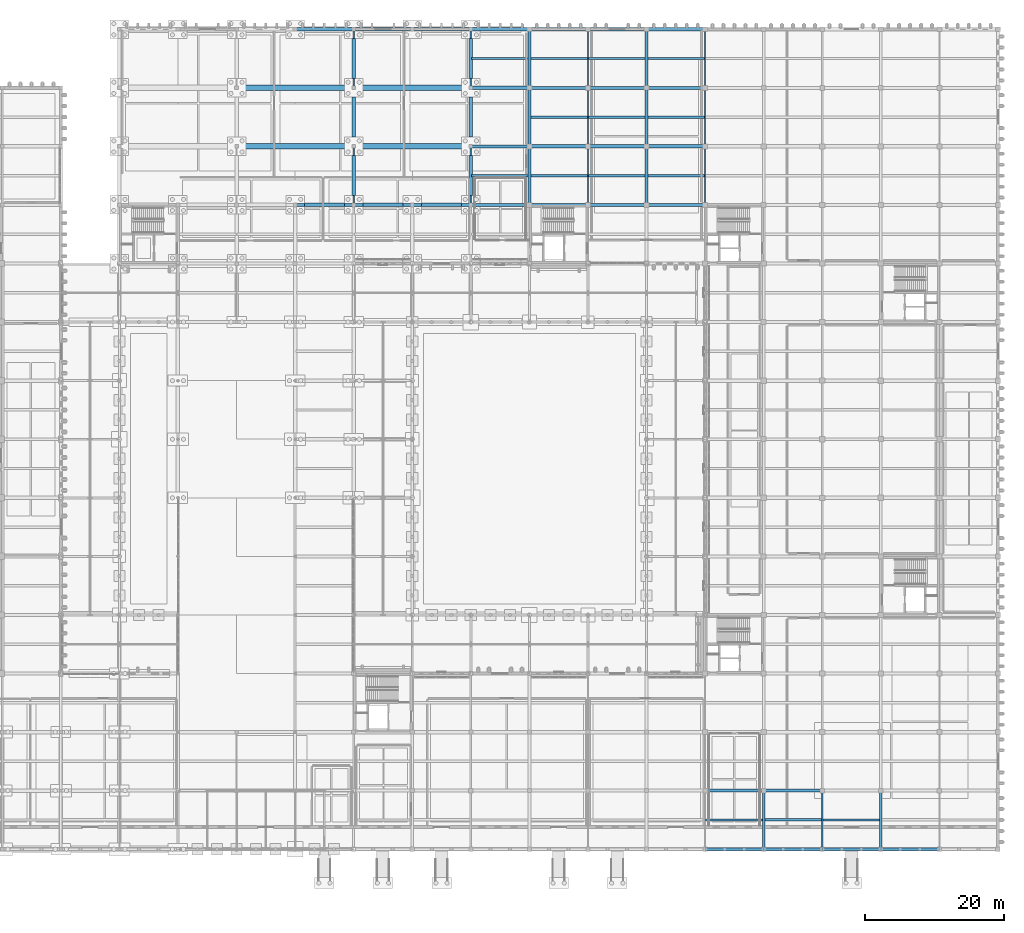
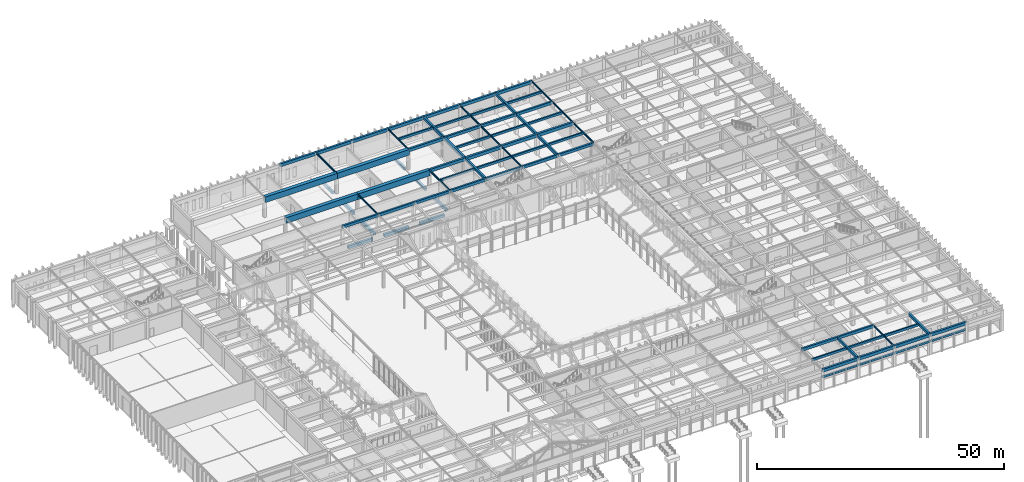
# One storey, part 67 of 143: 78 beams.
"""IFC4 building model written with IfcOpenShell, lengths in metres."""

import ifcopenshell
import ifcopenshell.guid

model = None  # the IFC model being written
_history = None  # IfcOwnerHistory: only IFC2X3 demands one
_inside = {}  # id of a spatial element -> (the spatial element, [elements in it])
_under = {}  # id of a project, library or spatial element -> (it, [spatial elements below it])
_declared = {}  # id of a project -> (the project, [libraries it declares])
_typed = {}  # id of a type object -> (the type object, [elements of that type])
_made_of = {}  # id of a material, layer set ... -> (it, [elements and type objects made of it])


def new_model(schema):
    """Start an empty IFC model of exactly this schema.

    Asked for "IFC4X3", IfcOpenShell would pick the latest addendum, in which some entities
    have other attributes; the version numbers below select the first issue.
    IFC2X3 requires an IfcOwnerHistory on every rooted entity: one is made here for all.
    """
    global model, _history
    if schema == "IFC4X3":
        model = ifcopenshell.file(schema_version=(4, 3, 0, 0))
    else:
        model = ifcopenshell.file(schema=schema)
    _inside.clear()
    _under.clear()
    _declared.clear()
    _typed.clear()
    _made_of.clear()
    _history = None
    if model.schema == "IFC2X3":
        org = make("IfcOrganization", Name="unknown")
        user = make(
            "IfcPersonAndOrganization",
            ThePerson=make("IfcPerson", FamilyName="unknown"),
            TheOrganization=org,
        )
        app = make(
            "IfcApplication",
            ApplicationDeveloper=org,
            Version="unknown",
            ApplicationFullName="unknown",
            ApplicationIdentifier="unknown",
        )
        _history = make(
            "IfcOwnerHistory",
            OwningUser=user,
            OwningApplication=app,
            ChangeAction="ADDED",
            CreationDate=0,
        )
    return model


def make(cls, **values):
    """One entity of the class cls with the attributes given. An attribute that is None is left unset."""
    return model.create_entity(
        cls, **{name: value for name, value in values.items() if value is not None}
    )


def rooted(cls, **values):
    """An entity with a GlobalId (a new one), such as an element, a storey or a relation."""
    return make(cls, GlobalId=ifcopenshell.guid.new(), OwnerHistory=_history, **values)


def si_unit(unit_type, name, prefix=None):
    """IfcSIUnit, for example si_unit("LENGTHUNIT", "METRE", prefix="MILLI")."""
    return make("IfcSIUnit", UnitType=unit_type, Prefix=prefix, Name=name)


def assignment(units):
    """IfcUnitAssignment: the units of a project."""
    return None if units is None else make("IfcUnitAssignment", Units=units)


def point(xyz):
    """IfcCartesianPoint."""
    return None if xyz is None else make("IfcCartesianPoint", Coordinates=xyz)


def direction(xyz):
    """IfcDirection."""
    return None if xyz is None else make("IfcDirection", DirectionRatios=xyz)


def frame(location, z_axis=None, x_axis=None):
    """IfcAxis2Placement3D, a coordinate frame: its origin and axes. An axis left out is left unset."""
    return make(
        "IfcAxis2Placement3D",
        Location=point(location),
        Axis=direction(z_axis),
        RefDirection=direction(x_axis),
    )


def frame_2d(location, x_axis=None):
    """IfcAxis2Placement2D, a coordinate frame in the plane: its origin and x axis."""
    return make(
        "IfcAxis2Placement2D", Location=point(location), RefDirection=direction(x_axis)
    )


def origin():
    """The frame at (0, 0, 0) with its axes left unset."""
    return frame((0.0, 0.0, 0.0))


def origin_2d():
    """The frame at (0, 0) in the plane with its x axis left unset."""
    return frame_2d((0.0, 0.0))


def place(relative_to, where):
    """IfcLocalPlacement: puts the frame where relative to a parent placement (None: the world)."""
    return make(
        "IfcLocalPlacement", PlacementRelTo=relative_to, RelativePlacement=where
    )


def context(
    kind, dimensions, precision=None, world=None, true_north=None, identifier=None
):
    """IfcGeometricRepresentationContext, for example the 3D "Model" context."""
    return make(
        "IfcGeometricRepresentationContext",
        ContextIdentifier=identifier,
        ContextType=kind,
        CoordinateSpaceDimension=dimensions,
        Precision=precision,
        WorldCoordinateSystem=world,
        TrueNorth=true_north,
    )


def subcontext(parent, identifier, kind, view, scale=None):
    """IfcGeometricRepresentationSubContext, for example "Body" below "Model"."""
    return make(
        "IfcGeometricRepresentationSubContext",
        ContextIdentifier=identifier,
        ContextType=kind,
        ParentContext=parent,
        TargetScale=scale,
        TargetView=view,
    )


def project(units=None, contexts=None):
    """IfcProject with its units and contexts."""
    return rooted(
        "IfcProject",
        Name="project",
        RepresentationContexts=contexts,
        UnitsInContext=assignment(units),
    )


def spatial(cls, under=None, at=None, **own):
    """A site, building, storey or space (cls), placed at a placement, below another one or the project."""
    s = rooted(cls, ObjectPlacement=at, **own)
    if under is not None:
        _under.setdefault(under.id(), (under, []))[1].append(s)
    return s


def profile(cls, at=None, kind="AREA", **sizes):
    """A parametric profile (cls). Its sizes go by their IFC names, for example OverallWidth=200.0."""
    return make(cls, ProfileType=kind, Position=at, **sizes)


def rectangle(**sizes):
    """IfcRectangleProfileDef."""
    return profile("IfcRectangleProfileDef", **sizes)


def i_section(**sizes):
    """IfcIShapeProfileDef."""
    return profile("IfcIShapeProfileDef", **sizes)


def extrude(swept, where, along, depth):
    """IfcExtrudedAreaSolid: the profile swept, set in the frame where, extruded along a direction by depth."""
    return make(
        "IfcExtrudedAreaSolid",
        SweptArea=swept,
        Position=where,
        ExtrudedDirection=direction(along),
        Depth=depth,
    )


def shape(context_of_items, identifier, shape_type, items):
    """IfcShapeRepresentation: the items that make up one representation, for example the "Body"."""
    return make(
        "IfcShapeRepresentation",
        ContextOfItems=context_of_items,
        RepresentationIdentifier=identifier,
        RepresentationType=shape_type,
        Items=items,
    )


def material(Name=None, Category=None):
    """IfcMaterial."""
    return make("IfcMaterial", Name=Name, Category=Category)


def material_profile(
    of_material, cross_section, Name=None, Category=None, Priority=None
):
    """IfcMaterialProfile: a cross section and its material."""
    return make(
        "IfcMaterialProfile",
        Name=Name,
        Material=of_material,
        Profile=cross_section,
        Priority=Priority,
        Category=Category,
    )


def profile_set(profiles, Name=None, composite=None):
    """IfcMaterialProfileSet."""
    return make(
        "IfcMaterialProfileSet",
        Name=Name,
        MaterialProfiles=profiles,
        CompositeProfile=composite,
    )


def made_of(thing, what):
    """Note that an element or type object is made of a material, layer set ...; save() writes the relation."""
    if what is not None:
        _made_of.setdefault(what.id(), (what, []))[1].append(thing)
    return thing


def type_object(cls, material=None, **own):
    """A type object (cls), such as IfcWallType, which elements share."""
    return made_of(rooted(cls, **own), material)


def element(
    cls,
    number,
    at=None,
    inside=None,
    cuts=None,
    type_object=None,
    material=None,
    context=None,
    identifier="Body",
    shape_type=None,
    held_by="IfcProductDefinitionShape",
    body=None,
    shapes=None,
    **own,
):
    """One element of the class cls, such as IfcWall. Its Tag is "e" and its number.

    at: its placement. inside: the storey or other place that contains it. cuts: it is an
    opening in that element (IfcRelVoidsElement). A single representation is given by context,
    identifier, shape_type and body (its items); several are given by shapes. held_by: the class
    of the entity that holds the representations. save() writes the other relations.
    """
    e = rooted(cls, Tag="e%d" % number, ObjectPlacement=at, **own)
    if body is not None:
        shapes = [shape(context, identifier, shape_type, body)]
    if shapes is not None:
        e.Representation = make(held_by, Representations=shapes)
    if inside is not None:
        _inside.setdefault(inside.id(), (inside, []))[1].append(e)
    if cuts is not None:
        rooted(
            "IfcRelVoidsElement", RelatingBuildingElement=cuts, RelatedOpeningElement=e
        )
    if type_object is not None:
        _typed.setdefault(type_object.id(), (type_object, []))[1].append(e)
    return made_of(e, material)


def aggregate(whole, parts):
    """IfcRelAggregates: a whole, such as a stair, and the parts it consists of."""
    return rooted("IfcRelAggregates", RelatingObject=whole, RelatedObjects=parts)


def save(model, path):
    """Write the relations noted so far, then the file.

    IfcRelAggregates (storeys below a building ...), IfcRelContainedInSpatialStructure (elements
    in a storey), IfcRelDefinesByType, IfcRelAssociatesMaterial and IfcRelDeclares: one each for
    every whole, place, type object, material and project.
    """
    for whole, parts in _under.values():
        aggregate(whole, parts)
    for where, things in _inside.values():
        rooted(
            "IfcRelContainedInSpatialStructure",
            RelatedElements=things,
            RelatingStructure=where,
        )
    for kind, things in _typed.values():
        rooted("IfcRelDefinesByType", RelatedObjects=things, RelatingType=kind)
    for what, things in _made_of.values():
        rooted("IfcRelAssociatesMaterial", RelatedObjects=things, RelatingMaterial=what)
    for by, libraries in _declared.values():
        rooted("IfcRelDeclares", RelatingContext=by, RelatedDefinitions=libraries)
    model.write(path)


model = new_model("IFC4")

# Units and contexts
model_context = context("Model", 3, precision=1e-05, world=origin(), true_north=direction((0.0, 1.0)))
body_context = subcontext(model_context, "Body", "Model", "MODEL_VIEW")
ifc_project = project(units=[si_unit("LENGTHUNIT", "METRE"), si_unit("AREAUNIT", "SQUARE_METRE"), si_unit("VOLUMEUNIT", "CUBIC_METRE"), si_unit("PLANEANGLEUNIT", "RADIAN"), si_unit("MASSUNIT", "GRAM", prefix="KILO")], contexts=[model_context])

# Site, building, storey
site_placement = place(None, origin())
site = spatial("IfcSite", under=ifc_project, at=site_placement, CompositionType="ELEMENT")
building_placement = place(site_placement, origin())
building = spatial("IfcBuilding", under=site, at=building_placement, Name="Kveldsbrygga Polytechnic", CompositionType="ELEMENT")
storey_placement = place(building_placement, origin())
storey = spatial("IfcBuildingStorey", under=building, at=storey_placement, Name="L00", CompositionType="ELEMENT", Elevation=0.0)

# Beams
ifc_material_1 = material(Name="Concrete C35/45", Category="concrete")
ifc_material_profile_1 = material_profile(ifc_material_1, rectangle(XDim=0.39990234375, YDim=0.64990234375, at=origin_2d()), Name="RC 400x650")
ifc_profile_set_1 = profile_set([ifc_material_profile_1], Name="Concrete C35/45")
beam_type_1 = type_object("IfcBeamType", Name="BM-RC-400x650", PredefinedType="BEAM", material=ifc_profile_set_1)
for number, where, z_axis, x_axis, name in (
    (1, (100.800048828125, 92.39990234375, 4.81494140625), (0.0, 1.0, 0.0), (-1.0, 0.0, 0.0), "Primary Beam BMY-L00-12-11to12"),
    (2, (100.800048828125, 109.199951171875, 4.81494140625), (0.0, 1.0, 0.0), (-1.0, 0.0, 0.0), "Primary Beam BMY-L00-12-13to14"),
    (3, (117.60009765625, 92.39990234375, 4.81494140625), (0.0, 1.0, 0.0), (-1.0, 0.0, 0.0), "Primary Beam BMY-L00-14-11to12"),
):
    element("IfcBeam", number, at=place(storey_placement, frame(where, z_axis=z_axis, x_axis=x_axis)), inside=storey, type_object=beam_type_1, Name=name, PredefinedType="BEAM", context=body_context, shape_type="SweptSolid", body=[
        extrude(rectangle(XDim=0.39990234375, YDim=0.64990234375, at=origin_2d()), origin(), (0.0, 0.0, 1.0), 8.400146484375),
    ])
beam_1_placement = place(storey_placement, frame((117.60009765625, 100.800048828125, 4.81494140625), z_axis=(0.0, 1.0, 0.0), x_axis=(-1.0, 0.0, 0.0)))
element("IfcBeam", 4, at=beam_1_placement, inside=storey, type_object=beam_type_1, Name="Primary Beam BMY-L00-14-12to13", PredefinedType="BEAM", context=body_context, shape_type="SweptSolid", body=[
    extrude(rectangle(XDim=0.39990234375, YDim=0.64990234375, at=origin_2d()), origin(), (0.0, 0.0, 1.0), 8.39990234375),
])
beam_2_placement = place(storey_placement, frame((117.60009765625, 109.199951171875, 4.81494140625), z_axis=(0.0, 1.0, 0.0), x_axis=(-1.0, 0.0, 0.0)))
element("IfcBeam", 5, at=beam_2_placement, inside=storey, type_object=beam_type_1, Name="Primary Beam BMY-L00-14-13to14", PredefinedType="BEAM", context=body_context, shape_type="SweptSolid", body=[
    extrude(rectangle(XDim=0.39990234375, YDim=0.64990234375, at=origin_2d()), origin(), (0.0, 0.0, 1.0), 8.400146484375),
])
for number, where, z_axis, x_axis, name in (
    (6, (134.39990234375, 0.0, 4.81494140625), (0.0, 1.0, 0.0), (-1.0, 0.0, 0.0), "Primary Beam BMY-L00-16-00to01"),
    (7, (151.199951171875, 0.0, 4.81494140625), (0.0, 1.0, 0.0), (-1.0, 0.0, 0.0), "Primary Beam BMY-L00-18-00to01"),
):
    element("IfcBeam", number, at=place(storey_placement, frame(where, z_axis=z_axis, x_axis=x_axis)), inside=storey, type_object=beam_type_1, Name=name, PredefinedType="BEAM", context=body_context, shape_type="SweptSolid", body=[
        extrude(rectangle(XDim=0.39990234375, YDim=0.64990234375, at=origin_2d()), origin(), (0.0, 0.0, 1.0), 8.39990234375),
    ])
ifc_material_profile_2 = material_profile(ifc_material_1, rectangle(XDim=0.419921875, YDim=0.679931640625, at=origin_2d()), Name="RC 420x680")
ifc_profile_set_2 = profile_set([ifc_material_profile_2], Name="Concrete C35/45")
beam_type_2 = type_object("IfcBeamType", Name="BM-RC-420x680", PredefinedType="BEAM", material=ifc_profile_set_2)
beam_3_placement = place(storey_placement, frame((126.0, 8.39990234375, 4.800048828125), z_axis=(1.0, 0.0, 0.0), x_axis=(0.0, 1.0, 0.0)))
element("IfcBeam", 8, at=beam_3_placement, inside=storey, type_object=beam_type_2, Name="Primary Beam BMX-L00-15to16-01", PredefinedType="BEAM", context=body_context, shape_type="SweptSolid", body=[
    extrude(rectangle(XDim=0.419921875, YDim=0.679931640625, at=origin_2d()), origin(), (0.0, 0.0, 1.0), 8.39990234375),
])
for number, where, z_axis, x_axis, name in (
    (9, (134.39990234375, 8.39990234375, 4.800048828125), (1.0, 0.0, 0.0), (0.0, 1.0, 0.0), "Primary Beam BMX-L00-16to17-01"),
    (10, (67.199951171875, 92.39990234375, 4.800048828125), (1.0, 0.0, 0.0), (0.0, 1.0, 0.0), "Primary Beam BMX-L00-08to09-11"),
):
    element("IfcBeam", number, at=place(storey_placement, frame(where, z_axis=z_axis, x_axis=x_axis)), inside=storey, type_object=beam_type_2, Name=name, PredefinedType="BEAM", context=body_context, shape_type="SweptSolid", body=[
        extrude(rectangle(XDim=0.419921875, YDim=0.679931640625, at=origin_2d()), origin(), (0.0, 0.0, 1.0), 8.400146484375),
    ])
for number, where, z_axis, x_axis, name in (
    (11, (75.60009765625, 92.39990234375, 4.800048828125), (1.0, 0.0, 0.0), (0.0, 1.0, 0.0), "Primary Beam BMX-L00-09to10-11"),
    (12, (84.0, 92.39990234375, 4.800048828125), (1.0, 0.0, 0.0), (0.0, 1.0, 0.0), "Primary Beam BMX-L00-10to11-11"),
):
    element("IfcBeam", number, at=place(storey_placement, frame(where, z_axis=z_axis, x_axis=x_axis)), inside=storey, type_object=beam_type_2, Name=name, PredefinedType="BEAM", context=body_context, shape_type="SweptSolid", body=[
        extrude(rectangle(XDim=0.419921875, YDim=0.679931640625, at=origin_2d()), origin(), (0.0, 0.0, 1.0), 8.39990234375),
    ])
beam_4_placement = place(storey_placement, frame((92.39990234375, 92.39990234375, 4.800048828125), z_axis=(1.0, 0.0, 0.0), x_axis=(0.0, 1.0, 0.0)))
element("IfcBeam", 13, at=beam_4_placement, inside=storey, type_object=beam_type_2, Name="Primary Beam BMX-L00-11to12-11", PredefinedType="BEAM", context=body_context, shape_type="SweptSolid", body=[
    extrude(rectangle(XDim=0.419921875, YDim=0.679931640625, at=origin_2d()), origin(), (0.0, 0.0, 1.0), 8.400146484375),
])
beam_5_placement = place(storey_placement, frame((100.800048828125, 92.39990234375, 4.800048828125), z_axis=(1.0, 0.0, 0.0), x_axis=(0.0, 1.0, 0.0)))
element("IfcBeam", 14, at=beam_5_placement, inside=storey, type_object=beam_type_2, Name="Primary Beam BMX-L00-12to13-11", PredefinedType="BEAM", context=body_context, shape_type="SweptSolid", body=[
    extrude(rectangle(XDim=0.419921875, YDim=0.679931640625, at=origin_2d()), origin(), (0.0, 0.0, 1.0), 8.39990234375),
])
beam_6_placement = place(storey_placement, frame((109.199951171875, 92.39990234375, 4.800048828125), z_axis=(1.0, 0.0, 0.0), x_axis=(0.0, 1.0, 0.0)))
element("IfcBeam", 15, at=beam_6_placement, inside=storey, type_object=beam_type_2, Name="Primary Beam BMX-L00-13to14-11", PredefinedType="BEAM", context=body_context, shape_type="SweptSolid", body=[
    extrude(rectangle(XDim=0.419921875, YDim=0.679931640625, at=origin_2d()), origin(), (0.0, 0.0, 1.0), 8.400146484375),
])
for number, where, z_axis, x_axis, name in (
    (16, (117.60009765625, 92.39990234375, 4.800048828125), (1.0, 0.0, 0.0), (0.0, 1.0, 0.0), "Primary Beam BMX-L00-14to15-11"),
    (17, (100.800048828125, 109.199951171875, 4.800048828125), (1.0, 0.0, 0.0), (0.0, 1.0, 0.0), "Primary Beam BMX-L00-12to13-13"),
):
    element("IfcBeam", number, at=place(storey_placement, frame(where, z_axis=z_axis, x_axis=x_axis)), inside=storey, type_object=beam_type_2, Name=name, PredefinedType="BEAM", context=body_context, shape_type="SweptSolid", body=[
        extrude(rectangle(XDim=0.419921875, YDim=0.679931640625, at=origin_2d()), origin(), (0.0, 0.0, 1.0), 8.39990234375),
    ])
beam_7_placement = place(storey_placement, frame((109.199951171875, 109.199951171875, 4.800048828125), z_axis=(1.0, 0.0, 0.0), x_axis=(0.0, 1.0, 0.0)))
element("IfcBeam", 18, at=beam_7_placement, inside=storey, type_object=beam_type_2, Name="Primary Beam BMX-L00-13to14-13", PredefinedType="BEAM", context=body_context, shape_type="SweptSolid", body=[
    extrude(rectangle(XDim=0.419921875, YDim=0.679931640625, at=origin_2d()), origin(), (0.0, 0.0, 1.0), 8.400146484375),
])
beam_8_placement = place(storey_placement, frame((117.60009765625, 109.199951171875, 4.800048828125), z_axis=(1.0, 0.0, 0.0), x_axis=(0.0, 1.0, 0.0)))
element("IfcBeam", 19, at=beam_8_placement, inside=storey, type_object=beam_type_2, Name="Primary Beam BMX-L00-14to15-13", PredefinedType="BEAM", context=body_context, shape_type="SweptSolid", body=[
    extrude(rectangle(XDim=0.419921875, YDim=0.679931640625, at=origin_2d()), origin(), (0.0, 0.0, 1.0), 8.39990234375),
])
ifc_material_profile_3 = material_profile(ifc_material_1, rectangle(XDim=0.449951171875, YDim=0.75, at=origin_2d()), Name="RC 450x750")
ifc_profile_set_3 = profile_set([ifc_material_profile_3], Name="Concrete C35/45")
beam_type_3 = type_object("IfcBeamType", Name="BM-RC-450x750", PredefinedType="BEAM", material=ifc_profile_set_3)
beam_9_placement = place(storey_placement, frame((92.39990234375, 109.199951171875, 4.764892578125), z_axis=(1.0, 0.0, 0.0), x_axis=(0.0, 1.0, 0.0)))
element("IfcBeam", 20, at=beam_9_placement, inside=storey, type_object=beam_type_3, Name="Primary Beam BMX-L00-11to12-13", PredefinedType="BEAM", context=body_context, shape_type="SweptSolid", body=[
    extrude(rectangle(XDim=0.449951171875, YDim=0.75, at=origin_2d()), origin(), (0.0, 0.0, 1.0), 8.400146484375),
])
beam_10_placement = place(storey_placement, frame((100.800048828125, 100.800048828125, 4.764892578125), z_axis=(0.0, 1.0, 0.0), x_axis=(-1.0, 0.0, 0.0)))
element("IfcBeam", 21, at=beam_10_placement, inside=storey, type_object=beam_type_3, Name="Primary Beam BMY-L00-12-12to13", PredefinedType="BEAM", context=body_context, shape_type="SweptSolid", body=[
    extrude(rectangle(XDim=0.449951171875, YDim=0.75, at=origin_2d()), origin(), (0.0, 0.0, 1.0), 8.39990234375),
])
ifc_material_profile_4 = material_profile(ifc_material_1, rectangle(XDim=0.4599609375, YDim=0.739990234375, at=origin_2d()), Name="RC 460x740")
ifc_profile_set_4 = profile_set([ifc_material_profile_4], Name="Concrete C35/45")
beam_type_4 = type_object("IfcBeamType", Name="BM-RC-460x740", PredefinedType="BEAM", material=ifc_profile_set_4)
beam_11_placement = place(storey_placement, frame((126.0, 0.0, 4.77001953125), z_axis=(1.0, 0.0, 0.0), x_axis=(0.0, 1.0, 0.0)))
element("IfcBeam", 22, at=beam_11_placement, inside=storey, type_object=beam_type_4, Name="Primary Beam BMX-L00-15to16-00", PredefinedType="BEAM", context=body_context, shape_type="SweptSolid", body=[
    extrude(rectangle(XDim=0.4599609375, YDim=0.739990234375, at=origin_2d()), origin(), (0.0, 0.0, 1.0), 8.39990234375),
])
beam_12_placement = place(storey_placement, frame((134.39990234375, 0.0, 4.77001953125), z_axis=(1.0, 0.0, 0.0), x_axis=(0.0, 1.0, 0.0)))
element("IfcBeam", 23, at=beam_12_placement, inside=storey, type_object=beam_type_4, Name="Primary Beam BMX-L00-16to17-00", PredefinedType="BEAM", context=body_context, shape_type="SweptSolid", body=[
    extrude(rectangle(XDim=0.4599609375, YDim=0.739990234375, at=origin_2d()), origin(), (0.0, 0.0, 1.0), 8.400146484375),
])
beam_13_placement = place(storey_placement, frame((142.800048828125, 0.0, 4.77001953125), z_axis=(1.0, 0.0, 0.0), x_axis=(0.0, 1.0, 0.0)))
element("IfcBeam", 24, at=beam_13_placement, inside=storey, type_object=beam_type_4, Name="Primary Beam BMX-L00-17to18-00", PredefinedType="BEAM", context=body_context, shape_type="SweptSolid", body=[
    extrude(rectangle(XDim=0.4599609375, YDim=0.739990234375, at=origin_2d()), origin(), (0.0, 0.0, 1.0), 8.39990234375),
])
for number, where, z_axis, x_axis, name in (
    (25, (151.199951171875, 0.0, 4.77001953125), (1.0, 0.0, 0.0), (0.0, 1.0, 0.0), "Primary Beam BMX-L00-18to19-00"),
    (26, (92.39990234375, 100.800048828125, 4.77001953125), (1.0, 0.0, 0.0), (0.0, 1.0, 0.0), "Primary Beam BMX-L00-11to12-12"),
    (27, (67.199951171875, 117.60009765625, 4.77001953125), (1.0, 0.0, 0.0), (0.0, 1.0, 0.0), "Primary Beam BMX-L00-08to09-14"),
):
    element("IfcBeam", number, at=place(storey_placement, frame(where, z_axis=z_axis, x_axis=x_axis)), inside=storey, type_object=beam_type_4, Name=name, PredefinedType="BEAM", context=body_context, shape_type="SweptSolid", body=[
        extrude(rectangle(XDim=0.4599609375, YDim=0.739990234375, at=origin_2d()), origin(), (0.0, 0.0, 1.0), 8.400146484375),
    ])
for number, where, z_axis, x_axis, name in (
    (28, (75.60009765625, 117.60009765625, 4.77001953125), (1.0, 0.0, 0.0), (0.0, 1.0, 0.0), "Primary Beam BMX-L00-09to10-14"),
    (29, (84.0, 117.60009765625, 4.77001953125), (1.0, 0.0, 0.0), (0.0, 1.0, 0.0), "Primary Beam BMX-L00-10to11-14"),
):
    element("IfcBeam", number, at=place(storey_placement, frame(where, z_axis=z_axis, x_axis=x_axis)), inside=storey, type_object=beam_type_4, Name=name, PredefinedType="BEAM", context=body_context, shape_type="SweptSolid", body=[
        extrude(rectangle(XDim=0.4599609375, YDim=0.739990234375, at=origin_2d()), origin(), (0.0, 0.0, 1.0), 8.39990234375),
    ])
beam_14_placement = place(storey_placement, frame((92.39990234375, 117.60009765625, 4.77001953125), z_axis=(1.0, 0.0, 0.0), x_axis=(0.0, 1.0, 0.0)))
element("IfcBeam", 30, at=beam_14_placement, inside=storey, type_object=beam_type_4, Name="Primary Beam BMX-L00-11to12-14", PredefinedType="BEAM", context=body_context, shape_type="SweptSolid", body=[
    extrude(rectangle(XDim=0.4599609375, YDim=0.739990234375, at=origin_2d()), origin(), (0.0, 0.0, 1.0), 8.400146484375),
])
beam_15_placement = place(storey_placement, frame((100.800048828125, 117.60009765625, 4.77001953125), z_axis=(1.0, 0.0, 0.0), x_axis=(0.0, 1.0, 0.0)))
element("IfcBeam", 31, at=beam_15_placement, inside=storey, type_object=beam_type_4, Name="Primary Beam BMX-L00-12to13-14", PredefinedType="BEAM", context=body_context, shape_type="SweptSolid", body=[
    extrude(rectangle(XDim=0.4599609375, YDim=0.739990234375, at=origin_2d()), origin(), (0.0, 0.0, 1.0), 8.39990234375),
])
beam_16_placement = place(storey_placement, frame((109.199951171875, 117.60009765625, 4.77001953125), z_axis=(1.0, 0.0, 0.0), x_axis=(0.0, 1.0, 0.0)))
element("IfcBeam", 32, at=beam_16_placement, inside=storey, type_object=beam_type_4, Name="Primary Beam BMX-L00-13to14-14", PredefinedType="BEAM", context=body_context, shape_type="SweptSolid", body=[
    extrude(rectangle(XDim=0.4599609375, YDim=0.739990234375, at=origin_2d()), origin(), (0.0, 0.0, 1.0), 8.400146484375),
])
beam_17_placement = place(storey_placement, frame((117.60009765625, 117.60009765625, 4.77001953125), z_axis=(1.0, 0.0, 0.0), x_axis=(0.0, 1.0, 0.0)))
element("IfcBeam", 33, at=beam_17_placement, inside=storey, type_object=beam_type_4, Name="Primary Beam BMX-L00-14to15-14", PredefinedType="BEAM", context=body_context, shape_type="SweptSolid", body=[
    extrude(rectangle(XDim=0.4599609375, YDim=0.739990234375, at=origin_2d()), origin(), (0.0, 0.0, 1.0), 8.39990234375),
])
ifc_material_profile_5 = material_profile(ifc_material_1, rectangle(XDim=0.47998046875, YDim=0.780029296875, at=origin_2d()), Name="RC 480x780")
ifc_profile_set_5 = profile_set([ifc_material_profile_5], Name="Concrete C35/45")
beam_type_5 = type_object("IfcBeamType", Name="BM-RC-480x780", PredefinedType="BEAM", material=ifc_profile_set_5)
beam_18_placement = place(storey_placement, frame((100.800048828125, 100.800048828125, 4.75), z_axis=(1.0, 0.0, 0.0), x_axis=(0.0, 1.0, 0.0)))
element("IfcBeam", 34, at=beam_18_placement, inside=storey, type_object=beam_type_5, Name="Primary Beam BMX-L00-12to13-12", PredefinedType="BEAM", context=body_context, shape_type="SweptSolid", body=[
    extrude(rectangle(XDim=0.47998046875, YDim=0.780029296875, at=origin_2d()), origin(), (0.0, 0.0, 1.0), 8.39990234375),
])
beam_19_placement = place(storey_placement, frame((109.199951171875, 100.800048828125, 4.75), z_axis=(1.0, 0.0, 0.0), x_axis=(0.0, 1.0, 0.0)))
element("IfcBeam", 35, at=beam_19_placement, inside=storey, type_object=beam_type_5, Name="Primary Beam BMX-L00-13to14-12", PredefinedType="BEAM", context=body_context, shape_type="SweptSolid", body=[
    extrude(rectangle(XDim=0.47998046875, YDim=0.780029296875, at=origin_2d()), origin(), (0.0, 0.0, 1.0), 8.400146484375),
])
beam_20_placement = place(storey_placement, frame((117.60009765625, 100.800048828125, 4.75), z_axis=(1.0, 0.0, 0.0), x_axis=(0.0, 1.0, 0.0)))
element("IfcBeam", 36, at=beam_20_placement, inside=storey, type_object=beam_type_5, Name="Primary Beam BMX-L00-14to15-12", PredefinedType="BEAM", context=body_context, shape_type="SweptSolid", body=[
    extrude(rectangle(XDim=0.47998046875, YDim=0.780029296875, at=origin_2d()), origin(), (0.0, 0.0, 1.0), 8.39990234375),
])
ifc_material_2 = material(Name="Concrete C45/55", Category="concrete")
ifc_material_profile_6 = material_profile(ifc_material_2, rectangle(XDim=0.800048828125, YDim=1.39990234375, at=origin_2d()), Name="RC 800x1400")
ifc_profile_set_6 = profile_set([ifc_material_profile_6], Name="Concrete C45/55")
beam_type_6 = type_object("IfcBeamType", Name="BM-RC-800x1400", PredefinedType="BEAM", material=ifc_profile_set_6)
beam_21_placement = place(storey_placement, frame((58.800048828125, 100.800048828125, 4.43994140625), z_axis=(1.0, 0.0, 0.0), x_axis=(0.0, 1.0, 0.0)))
element("IfcBeam", 37, at=beam_21_placement, inside=storey, type_object=beam_type_6, Name="Primary Beam BMX-L00-07to09-12", PredefinedType="BEAM", context=body_context, shape_type="SweptSolid", body=[
    extrude(rectangle(XDim=0.800048828125, YDim=1.39990234375, at=origin_2d()), origin(), (0.0, 0.0, 1.0), 16.800048828125),
])
beam_22_placement = place(storey_placement, frame((75.60009765625, 100.800048828125, 4.43994140625), z_axis=(1.0, 0.0, 0.0), x_axis=(0.0, 1.0, 0.0)))
element("IfcBeam", 38, at=beam_22_placement, inside=storey, type_object=beam_type_6, Name="Primary Beam BMX-L00-09to11-12", PredefinedType="BEAM", context=body_context, shape_type="SweptSolid", body=[
    extrude(rectangle(XDim=0.800048828125, YDim=1.39990234375, at=origin_2d()), origin(), (0.0, 0.0, 1.0), 16.7998046875),
])
beam_23_placement = place(storey_placement, frame((58.800048828125, 109.199951171875, 4.43994140625), z_axis=(1.0, 0.0, 0.0), x_axis=(0.0, 1.0, 0.0)))
element("IfcBeam", 39, at=beam_23_placement, inside=storey, type_object=beam_type_6, Name="Primary Beam BMX-L00-07to09-13", PredefinedType="BEAM", context=body_context, shape_type="SweptSolid", body=[
    extrude(rectangle(XDim=0.800048828125, YDim=1.39990234375, at=origin_2d()), origin(), (0.0, 0.0, 1.0), 16.800048828125),
])
beam_24_placement = place(storey_placement, frame((75.60009765625, 109.199951171875, 4.43994140625), z_axis=(1.0, 0.0, 0.0), x_axis=(0.0, 1.0, 0.0)))
element("IfcBeam", 40, at=beam_24_placement, inside=storey, type_object=beam_type_6, Name="Primary Beam BMX-L00-09to11-13", PredefinedType="BEAM", context=body_context, shape_type="SweptSolid", body=[
    extrude(rectangle(XDim=0.800048828125, YDim=1.39990234375, at=origin_2d()), origin(), (0.0, 0.0, 1.0), 16.7998046875),
])
ifc_material_3 = material(Name="Steel S355", Category="steel")
ifc_material_profile_7 = material_profile(ifc_material_3, i_section(OverallWidth=0.179931640625, OverallDepth=0.39990234375, WebThickness=0.008544921875, FlangeThickness=0.013427734375, FilletRadius=0.02099609375, at=origin_2d()), Name="IPE 400")
ifc_profile_set_7 = profile_set([ifc_material_profile_7], Name="Steel S355")
beam_type_7 = type_object("IfcBeamType", Name="BM-STL-IPE400", PredefinedType="BEAM", material=ifc_profile_set_7)
for number, where, z_axis, x_axis, name in (
    (41, (75.60009765625, 92.39990234375, 4.93994140625), (0.0, 1.0, 0.0), (-1.0, 0.0, 0.0), "Primary Beam BMY-L00-09-11to12"),
    (42, (75.60009765625, 109.199951171875, 4.93994140625), (0.0, 1.0, 0.0), (-1.0, 0.0, 0.0), "Primary Beam BMY-L00-09-13to14"),
    (43, (92.39990234375, 92.39990234375, 4.93994140625), (0.0, 1.0, 0.0), (-1.0, 0.0, 0.0), "Primary Beam BMY-L00-11-11to12"),
    (44, (92.39990234375, 109.199951171875, 4.93994140625), (0.0, 1.0, 0.0), (-1.0, 0.0, 0.0), "Primary Beam BMY-L00-11-13to14"),
    (45, (109.199951171875, 92.39990234375, 4.93994140625), (0.0, 1.0, 0.0), (-1.0, 0.0, 0.0), "Primary Beam BMY-L00-13-11to12"),
):
    element("IfcBeam", number, at=place(storey_placement, frame(where, z_axis=z_axis, x_axis=x_axis)), inside=storey, type_object=beam_type_7, Name=name, PredefinedType="BEAM", context=body_context, shape_type="SweptSolid", body=[
        extrude(i_section(OverallWidth=0.179931640625, OverallDepth=0.39990234375, WebThickness=0.008544921875, FlangeThickness=0.013427734375, FilletRadius=0.02099609375, at=origin_2d()), origin(), (0.0, 0.0, 1.0), 8.400146484375),
    ])
beam_25_placement = place(storey_placement, frame((109.199951171875, 100.800048828125, 4.93994140625), z_axis=(0.0, 1.0, 0.0), x_axis=(-1.0, 0.0, 0.0)))
element("IfcBeam", 46, at=beam_25_placement, inside=storey, type_object=beam_type_7, Name="Primary Beam BMY-L00-13-12to13", PredefinedType="BEAM", context=body_context, shape_type="SweptSolid", body=[
    extrude(i_section(OverallWidth=0.179931640625, OverallDepth=0.39990234375, WebThickness=0.008544921875, FlangeThickness=0.013427734375, FilletRadius=0.02099609375, at=origin_2d()), origin(), (0.0, 0.0, 1.0), 8.39990234375),
])
for number, where, z_axis, x_axis, name in (
    (47, (109.199951171875, 109.199951171875, 4.93994140625), (0.0, 1.0, 0.0), (-1.0, 0.0, 0.0), "Primary Beam BMY-L00-13-13to14"),
    (48, (126.0, 92.39990234375, 4.93994140625), (0.0, 1.0, 0.0), (-1.0, 0.0, 0.0), "Primary Beam BMY-L00-15-11to12"),
):
    element("IfcBeam", number, at=place(storey_placement, frame(where, z_axis=z_axis, x_axis=x_axis)), inside=storey, type_object=beam_type_7, Name=name, PredefinedType="BEAM", context=body_context, shape_type="SweptSolid", body=[
        extrude(i_section(OverallWidth=0.179931640625, OverallDepth=0.39990234375, WebThickness=0.008544921875, FlangeThickness=0.013427734375, FilletRadius=0.02099609375, at=origin_2d()), origin(), (0.0, 0.0, 1.0), 8.400146484375),
    ])
beam_26_placement = place(storey_placement, frame((126.0, 100.800048828125, 4.93994140625), z_axis=(0.0, 1.0, 0.0), x_axis=(-1.0, 0.0, 0.0)))
element("IfcBeam", 49, at=beam_26_placement, inside=storey, type_object=beam_type_7, Name="Primary Beam BMY-L00-15-12to13", PredefinedType="BEAM", context=body_context, shape_type="SweptSolid", body=[
    extrude(i_section(OverallWidth=0.179931640625, OverallDepth=0.39990234375, WebThickness=0.008544921875, FlangeThickness=0.013427734375, FilletRadius=0.02099609375, at=origin_2d()), origin(), (0.0, 0.0, 1.0), 8.39990234375),
])
beam_27_placement = place(storey_placement, frame((126.0, 109.199951171875, 4.93994140625), z_axis=(0.0, 1.0, 0.0), x_axis=(-1.0, 0.0, 0.0)))
element("IfcBeam", 50, at=beam_27_placement, inside=storey, type_object=beam_type_7, Name="Primary Beam BMY-L00-15-13to14", PredefinedType="BEAM", context=body_context, shape_type="SweptSolid", body=[
    extrude(i_section(OverallWidth=0.179931640625, OverallDepth=0.39990234375, WebThickness=0.008544921875, FlangeThickness=0.013427734375, FilletRadius=0.02099609375, at=origin_2d()), origin(), (0.0, 0.0, 1.0), 8.400146484375),
])
beam_28_placement = place(storey_placement, frame((142.800048828125, 0.0, 4.93994140625), z_axis=(0.0, 1.0, 0.0), x_axis=(-1.0, 0.0, 0.0)))
element("IfcBeam", 51, at=beam_28_placement, inside=storey, type_object=beam_type_7, Name="Primary Beam BMY-L00-17-00to01", PredefinedType="BEAM", context=body_context, shape_type="SweptSolid", body=[
    extrude(i_section(OverallWidth=0.179931640625, OverallDepth=0.39990234375, WebThickness=0.008544921875, FlangeThickness=0.013427734375, FilletRadius=0.02099609375, at=origin_2d()), origin(), (0.0, 0.0, 1.0), 8.39990234375),
])
ifc_material_profile_8 = material_profile(ifc_material_1, rectangle(XDim=0.5, YDim=0.699951171875, at=origin_2d()), Name="RC 500x700")
ifc_profile_set_8 = profile_set([ifc_material_profile_8], Name="Concrete C35/45")
beam_type_8 = type_object("IfcBeamType", Name="BM-TIE-500x700", PredefinedType="BEAM", material=ifc_profile_set_8)
beam_29_placement = place(storey_placement, frame((68.527099609375, 92.39990234375, -0.669921875), z_axis=(1.0, 0.0, 0.0), x_axis=(0.0, 1.0, 0.0)))
element("IfcBeam", 52, at=beam_29_placement, inside=storey, type_object=beam_type_8, Name="Ground Tie Beam GB-L00-X-08-11", PredefinedType="BEAM", context=body_context, shape_type="SweptSolid", body=[
    extrude(rectangle(XDim=0.5, YDim=0.699951171875, at=origin_2d()), origin(), (0.0, 0.0, 1.0), 5.745849609375),
])
beam_30_placement = place(storey_placement, frame((76.927001953125, 92.39990234375, -0.669921875), z_axis=(1.0, 0.0, 0.0), x_axis=(0.0, 1.0, 0.0)))
element("IfcBeam", 53, at=beam_30_placement, inside=storey, type_object=beam_type_8, Name="Ground Tie Beam GB-L00-X-09-11", PredefinedType="BEAM", context=body_context, shape_type="SweptSolid", body=[
    extrude(rectangle(XDim=0.5, YDim=0.699951171875, at=origin_2d()), origin(), (0.0, 0.0, 1.0), 5.74609375),
])
beam_31_placement = place(storey_placement, frame((75.60009765625, 93.72705078125, -0.669921875), z_axis=(0.0, 1.0, 0.0), x_axis=(-1.0, 0.0, 0.0)))
element("IfcBeam", 54, at=beam_31_placement, inside=storey, type_object=beam_type_8, Name="Ground Tie Beam GB-L00-Y-09-11", PredefinedType="BEAM", context=body_context, shape_type="SweptSolid", body=[
    extrude(rectangle(XDim=0.5, YDim=0.699951171875, at=origin_2d()), origin(), (0.0, 0.0, 1.0), 5.745849609375),
])
beam_32_placement = place(storey_placement, frame((75.60009765625, 102.126953125, -0.669921875), z_axis=(0.0, 1.0, 0.0), x_axis=(-1.0, 0.0, 0.0)))
element("IfcBeam", 55, at=beam_32_placement, inside=storey, type_object=beam_type_8, Name="Ground Tie Beam GB-L00-Y-09-12", PredefinedType="BEAM", context=body_context, shape_type="SweptSolid", body=[
    extrude(rectangle(XDim=0.5, YDim=0.699951171875, at=origin_2d()), origin(), (0.0, 0.0, 1.0), 5.74609375),
])
beam_33_placement = place(storey_placement, frame((75.60009765625, 110.527099609375, -0.669921875), z_axis=(0.0, 1.0, 0.0), x_axis=(-1.0, 0.0, 0.0)))
element("IfcBeam", 56, at=beam_33_placement, inside=storey, type_object=beam_type_8, Name="Ground Tie Beam GB-L00-Y-09-13", PredefinedType="BEAM", context=body_context, shape_type="SweptSolid", body=[
    extrude(rectangle(XDim=0.5, YDim=0.699951171875, at=origin_2d()), origin(), (0.0, 0.0, 1.0), 5.745849609375),
])
beam_34_placement = place(storey_placement, frame((85.326904296875, 92.39990234375, -0.669921875), z_axis=(1.0, 0.0, 0.0), x_axis=(0.0, 1.0, 0.0)))
element("IfcBeam", 57, at=beam_34_placement, inside=storey, type_object=beam_type_8, Name="Ground Tie Beam GB-L00-X-10-11", PredefinedType="BEAM", context=body_context, shape_type="SweptSolid", body=[
    extrude(rectangle(XDim=0.5, YDim=0.699951171875, at=origin_2d()), origin(), (0.0, 0.0, 1.0), 5.74609375),
])
beam_35_placement = place(storey_placement, frame((92.39990234375, 93.72705078125, -0.669921875), z_axis=(0.0, 1.0, 0.0), x_axis=(-1.0, 0.0, 0.0)))
element("IfcBeam", 58, at=beam_35_placement, inside=storey, type_object=beam_type_8, Name="Ground Tie Beam GB-L00-Y-11-11", PredefinedType="BEAM", context=body_context, shape_type="SweptSolid", body=[
    extrude(rectangle(XDim=0.5, YDim=0.699951171875, at=origin_2d()), origin(), (0.0, 0.0, 1.0), 5.745849609375),
])
beam_36_placement = place(storey_placement, frame((92.39990234375, 102.126953125, -0.669921875), z_axis=(0.0, 1.0, 0.0), x_axis=(-1.0, 0.0, 0.0)))
element("IfcBeam", 59, at=beam_36_placement, inside=storey, type_object=beam_type_8, Name="Ground Tie Beam GB-L00-Y-11-12", PredefinedType="BEAM", context=body_context, shape_type="SweptSolid", body=[
    extrude(rectangle(XDim=0.5, YDim=0.699951171875, at=origin_2d()), origin(), (0.0, 0.0, 1.0), 5.74609375),
])
beam_37_placement = place(storey_placement, frame((92.39990234375, 110.527099609375, -0.669921875), z_axis=(0.0, 1.0, 0.0), x_axis=(-1.0, 0.0, 0.0)))
element("IfcBeam", 60, at=beam_37_placement, inside=storey, type_object=beam_type_8, Name="Ground Tie Beam GB-L00-Y-11-13", PredefinedType="BEAM", context=body_context, shape_type="SweptSolid", body=[
    extrude(rectangle(XDim=0.5, YDim=0.699951171875, at=origin_2d()), origin(), (0.0, 0.0, 1.0), 5.745849609375),
])
ifc_material_profile_9 = material_profile(ifc_material_1, rectangle(XDim=0.340087890625, YDim=0.56005859375, at=origin_2d()), Name="RC 340x560")
ifc_profile_set_9 = profile_set([ifc_material_profile_9], Name="Concrete C35/45")
beam_type_9 = type_object("IfcBeamType", Name="JST-RC-340x560", PredefinedType="JOIST", material=ifc_profile_set_9)
for number, where, z_axis, x_axis, name in (
    (61, (101.0, 96.60009765625, 4.860107421875), (1.0, 0.0, 0.0), (0.0, 1.0, 0.0), "Secondary Joist JST-L00-12-11"),
    (62, (101.0, 113.39990234375, 4.860107421875), (1.0, 0.0, 0.0), (0.0, 1.0, 0.0), "Secondary Joist JST-L00-12-13"),
):
    element("IfcBeam", number, at=place(storey_placement, frame(where, z_axis=z_axis, x_axis=x_axis)), inside=storey, type_object=beam_type_9, Name=name, PredefinedType="JOIST", context=body_context, shape_type="SweptSolid", body=[
        extrude(rectangle(XDim=0.340087890625, YDim=0.56005859375, at=origin_2d()), origin(), (0.0, 0.0, 1.0), 8.110107421875),
    ])
for number, where, z_axis, x_axis, name in (
    (63, (109.2900390625, 105.0, 4.860107421875), (1.0, 0.0, 0.0), (0.0, 1.0, 0.0), "Secondary Joist JST-L00-13-12"),
    (64, (117.800048828125, 96.60009765625, 4.860107421875), (1.0, 0.0, 0.0), (0.0, 1.0, 0.0), "Secondary Joist JST-L00-14-11"),
    (65, (117.800048828125, 113.39990234375, 4.860107421875), (1.0, 0.0, 0.0), (0.0, 1.0, 0.0), "Secondary Joist JST-L00-14-13"),
    (66, (126.090087890625, 4.199951171875, 4.860107421875), (1.0, 0.0, 0.0), (0.0, 1.0, 0.0), "Secondary Joist JST-L00-15-00"),
):
    element("IfcBeam", number, at=place(storey_placement, frame(where, z_axis=z_axis, x_axis=x_axis)), inside=storey, type_object=beam_type_9, Name=name, PredefinedType="JOIST", context=body_context, shape_type="SweptSolid", body=[
        extrude(rectangle(XDim=0.340087890625, YDim=0.56005859375, at=origin_2d()), origin(), (0.0, 0.0, 1.0), 8.10986328125),
    ])
beam_38_placement = place(storey_placement, frame((142.889892578125, 4.199951171875, 4.860107421875), z_axis=(1.0, 0.0, 0.0), x_axis=(0.0, 1.0, 0.0)))
element("IfcBeam", 67, at=beam_38_placement, inside=storey, type_object=beam_type_9, Name="Secondary Joist JST-L00-17-00", PredefinedType="JOIST", context=body_context, shape_type="SweptSolid", body=[
    extrude(rectangle(XDim=0.340087890625, YDim=0.56005859375, at=origin_2d()), origin(), (0.0, 0.0, 1.0), 8.110107421875),
])
ifc_material_profile_10 = material_profile(ifc_material_1, rectangle(XDim=0.35009765625, YDim=0.550048828125, at=origin_2d()), Name="RC 350x550")
ifc_profile_set_10 = profile_set([ifc_material_profile_10], Name="Concrete C35/45")
beam_type_10 = type_object("IfcBeamType", Name="JST-RC-350x550", PredefinedType="JOIST", material=ifc_profile_set_10)
for number, where, z_axis, x_axis, name in (
    (68, (92.489990234375, 96.60009765625, 4.864990234375), (1.0, 0.0, 0.0), (0.0, 1.0, 0.0), "Secondary Joist JST-L00-11-11"),
    (69, (92.489990234375, 113.39990234375, 4.864990234375), (1.0, 0.0, 0.0), (0.0, 1.0, 0.0), "Secondary Joist JST-L00-11-13"),
):
    element("IfcBeam", number, at=place(storey_placement, frame(where, z_axis=z_axis, x_axis=x_axis)), inside=storey, type_object=beam_type_10, Name=name, PredefinedType="JOIST", context=body_context, shape_type="SweptSolid", body=[
        extrude(rectangle(XDim=0.35009765625, YDim=0.550048828125, at=origin_2d()), origin(), (0.0, 0.0, 1.0), 8.110107421875),
    ])
beam_39_placement = place(storey_placement, frame((101.02490234375, 105.0, 4.864990234375), z_axis=(1.0, 0.0, 0.0), x_axis=(0.0, 1.0, 0.0)))
element("IfcBeam", 70, at=beam_39_placement, inside=storey, type_object=beam_type_10, Name="Secondary Joist JST-L00-12-12", PredefinedType="JOIST", context=body_context, shape_type="SweptSolid", body=[
    extrude(rectangle(XDim=0.35009765625, YDim=0.550048828125, at=origin_2d()), origin(), (0.0, 0.0, 1.0), 8.085205078125),
])
for number, where, z_axis, x_axis, name in (
    (71, (109.2900390625, 96.60009765625, 4.864990234375), (1.0, 0.0, 0.0), (0.0, 1.0, 0.0), "Secondary Joist JST-L00-13-11"),
    (72, (109.2900390625, 113.39990234375, 4.864990234375), (1.0, 0.0, 0.0), (0.0, 1.0, 0.0), "Secondary Joist JST-L00-13-13"),
    (73, (117.800048828125, 105.0, 4.864990234375), (1.0, 0.0, 0.0), (0.0, 1.0, 0.0), "Secondary Joist JST-L00-14-12"),
    (74, (134.60009765625, 4.199951171875, 4.864990234375), (1.0, 0.0, 0.0), (0.0, 1.0, 0.0), "Secondary Joist JST-L00-16-00"),
):
    element("IfcBeam", number, at=place(storey_placement, frame(where, z_axis=z_axis, x_axis=x_axis)), inside=storey, type_object=beam_type_10, Name=name, PredefinedType="JOIST", context=body_context, shape_type="SweptSolid", body=[
        extrude(rectangle(XDim=0.35009765625, YDim=0.550048828125, at=origin_2d()), origin(), (0.0, 0.0, 1.0), 8.10986328125),
    ])
ifc_material_profile_11 = material_profile(ifc_material_1, rectangle(XDim=0.300048828125, YDim=0.5, at=origin_2d()), Name="RC 300x500")
ifc_profile_set_11 = profile_set([ifc_material_profile_11], Name="Concrete C35/45")
beam_type_11 = type_object("IfcBeamType", Name="LNT-RC-300x500", PredefinedType="LINTEL", material=ifc_profile_set_11)
beam_40_placement = place(storey_placement, frame((126.0, 0.0, 3.199951171875), z_axis=(1.0, 0.0, 0.0), x_axis=(0.0, 1.0, 0.0)))
element("IfcBeam", 75, at=beam_40_placement, inside=storey, type_object=beam_type_11, Name="Harbour Colonnade Arch Lintel Beam BM-PROM-HDR-15", PredefinedType="LINTEL", context=body_context, shape_type="SweptSolid", body=[
    extrude(rectangle(XDim=0.300048828125, YDim=0.5, at=origin_2d()), origin(), (0.0, 0.0, 1.0), 8.39990234375),
])
beam_41_placement = place(storey_placement, frame((134.39990234375, 0.0, 3.199951171875), z_axis=(1.0, 0.0, 0.0), x_axis=(0.0, 1.0, 0.0)))
element("IfcBeam", 76, at=beam_41_placement, inside=storey, type_object=beam_type_11, Name="Harbour Colonnade Arch Lintel Beam BM-PROM-HDR-16", PredefinedType="LINTEL", context=body_context, shape_type="SweptSolid", body=[
    extrude(rectangle(XDim=0.300048828125, YDim=0.5, at=origin_2d()), origin(), (0.0, 0.0, 1.0), 8.400146484375),
])
beam_42_placement = place(storey_placement, frame((142.800048828125, 0.0, 3.199951171875), z_axis=(1.0, 0.0, 0.0), x_axis=(0.0, 1.0, 0.0)))
element("IfcBeam", 77, at=beam_42_placement, inside=storey, type_object=beam_type_11, Name="Harbour Colonnade Arch Lintel Beam BM-PROM-HDR-17", PredefinedType="LINTEL", context=body_context, shape_type="SweptSolid", body=[
    extrude(rectangle(XDim=0.300048828125, YDim=0.5, at=origin_2d()), origin(), (0.0, 0.0, 1.0), 8.39990234375),
])
beam_43_placement = place(storey_placement, frame((151.199951171875, 0.0, 3.199951171875), z_axis=(1.0, 0.0, 0.0), x_axis=(0.0, 1.0, 0.0)))
element("IfcBeam", 78, at=beam_43_placement, inside=storey, type_object=beam_type_11, Name="Harbour Colonnade Arch Lintel Beam BM-PROM-HDR-18", PredefinedType="LINTEL", context=body_context, shape_type="SweptSolid", body=[
    extrude(rectangle(XDim=0.300048828125, YDim=0.5, at=origin_2d()), origin(), (0.0, 0.0, 1.0), 8.400146484375),
])

save(model, "model.ifc")
